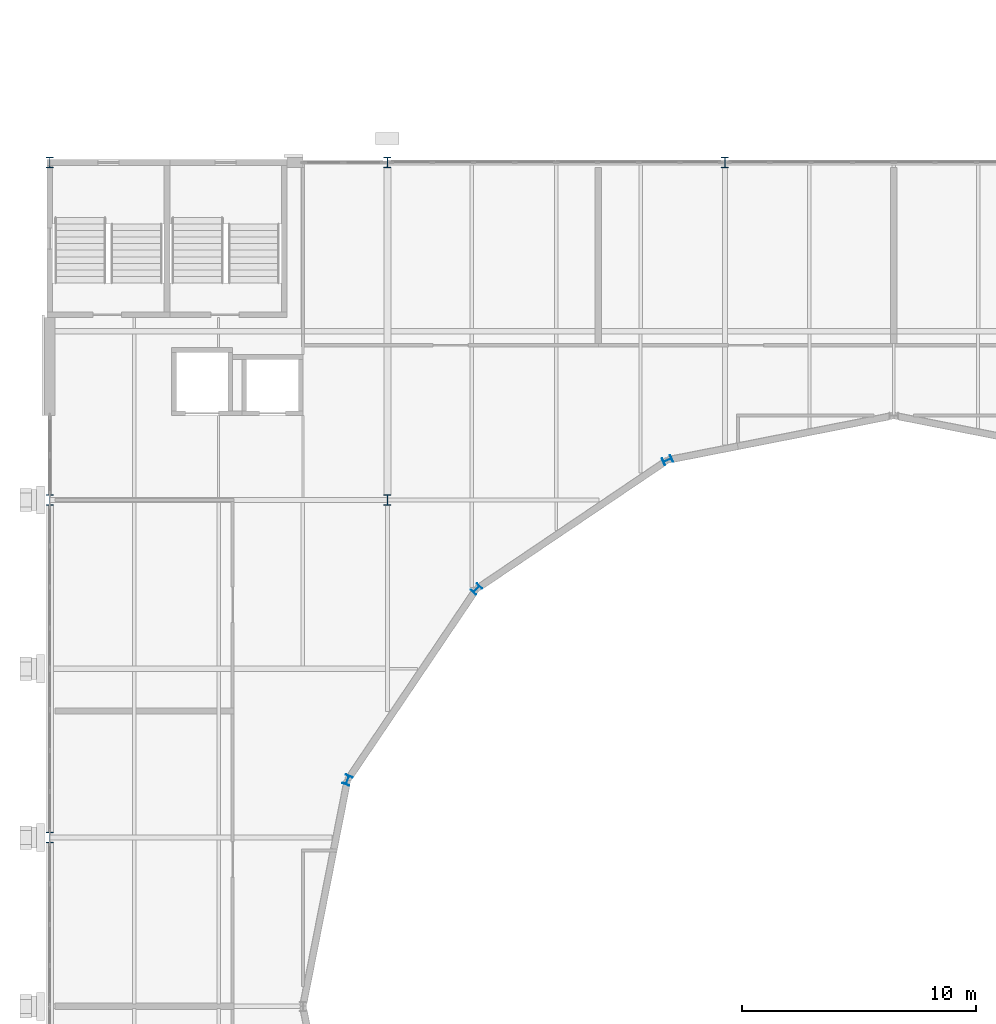
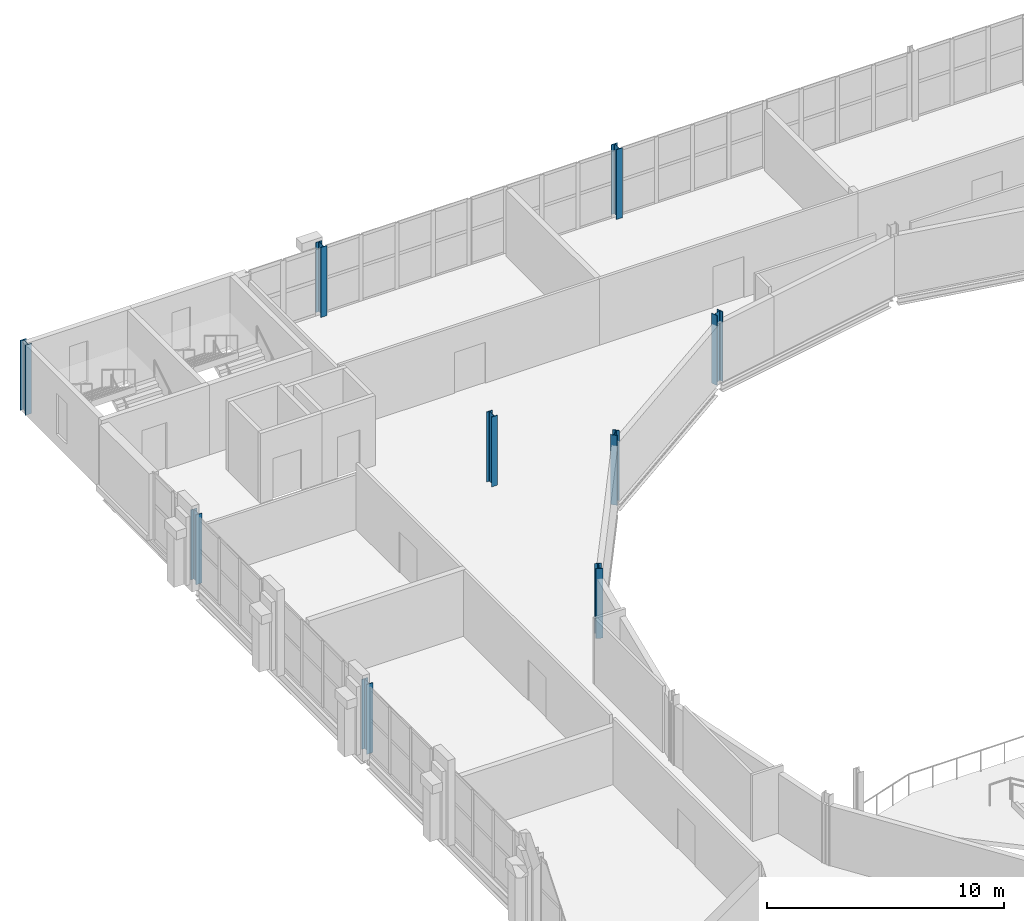
# One storey, part 8 of 124: 9 columns.
"""IFC4 building model written with IfcOpenShell, lengths in metres."""

from ifc_helpers import new_model, si_unit, direction, frame, origin, origin_2d, place, context, subcontext, project, spatial, i_section, extrude, material, material_profile, profile_set, type_object, element, save


model = new_model("IFC4")

# Units and contexts
model_context = context("Model", 3, precision=1e-05, world=origin(), true_north=direction((0.0, 1.0)))
body_context = subcontext(model_context, "Body", "Model", "MODEL_VIEW")
ifc_project = project(units=[si_unit("LENGTHUNIT", "METRE"), si_unit("AREAUNIT", "SQUARE_METRE"), si_unit("VOLUMEUNIT", "CUBIC_METRE"), si_unit("PLANEANGLEUNIT", "RADIAN"), si_unit("MASSUNIT", "GRAM", prefix="KILO")], contexts=[model_context])

# Site, building, storey
site_placement = place(None, origin())
site = spatial("IfcSite", under=ifc_project, at=site_placement, CompositionType="ELEMENT")
building_placement = place(site_placement, origin())
building = spatial("IfcBuilding", under=site, at=building_placement, Name="Kupolbacken Congress Centre", CompositionType="ELEMENT")
storey_placement = place(building_placement, frame((0.0, 0.0, 10.800048828125)))
storey = spatial("IfcBuildingStorey", under=building, at=storey_placement, Name="L03", CompositionType="ELEMENT", Elevation=10.800048828125)

# Columns
ifc_material_1 = material(Name="Steel S355", Category="steel")
ifc_material_profile_1 = material_profile(ifc_material_1, i_section(OverallWidth=0.300048828125, OverallDepth=0.449951171875, WebThickness=0.013916015625, FlangeThickness=0.02587890625, FilletRadius=0.027099609375, at=origin_2d()), Name="HEB 450")
ifc_profile_set_1 = profile_set([ifc_material_profile_1], Name="Steel S355")
column_type_1 = type_object("IfcColumnType", Name="C03 column HEB 450", PredefinedType="COLUMN", material=ifc_profile_set_1)
for number, where, z_axis, x_axis, name in (
    (1, (7.199951171875, 93.60009765625, 0.0), (0.0, 0.0, 1.0), (1.0, 0.0, 0.0), "S/col/C-P-2P/L03"),
    (2, (7.199951171875, 108.0, 0.0), (0.0, 0.0, 1.0), (1.0, 0.0, 0.0), "S/col/C-P-2R/L03"),
    (3, (7.199951171875, 122.39990234375, 0.0), (0.0, 0.0, 1.0), (1.0, 0.0, 0.0), "S/col/C-P-2T/L03"),
    (4, (21.60009765625, 122.39990234375, 0.0), (0.0, 0.0, 1.0), (1.0, 0.0, 0.0), "S/col/C-P-4T/L03"),
    (5, (36.0, 122.39990234375, 0.0), (0.0, 0.0, 1.0), (1.0, 0.0, 0.0), "S/col/C-P-6T/L03"),
    (6, (21.60009765625, 108.0, 0.0), (0.0, 0.0, 1.0), (1.0, 0.0, 0.0), "S/col/C-P-4R/L03"),
):
    element("IfcColumn", number, at=place(storey_placement, frame(where, z_axis=z_axis, x_axis=x_axis)), inside=storey, type_object=column_type_1, Name=name, PredefinedType="COLUMN", context=body_context, shape_type="SweptSolid", body=[
        extrude(i_section(OverallWidth=0.300048828125, OverallDepth=0.449951171875, WebThickness=0.013916015625, FlangeThickness=0.02587890625, FilletRadius=0.027099609375, at=origin_2d()), origin(), (0.0, 0.0, 1.0), 3.599853515625),
    ])
ifc_material_2 = material(Name="Steel S355", Category="steel")
ifc_material_profile_2 = material_profile(ifc_material_2, i_section(OverallWidth=0.300048828125, OverallDepth=0.39990234375, WebThickness=0.013427734375, FlangeThickness=0.02392578125, FilletRadius=0.027099609375, at=origin_2d()), Name="HEB 400")
ifc_profile_set_2 = profile_set([ifc_material_profile_2], Name="Steel S355")
column_type_2 = type_object("IfcColumnType", Name="C08 column HEB 400", PredefinedType="COLUMN", material=ifc_profile_set_2)
for number, where, z_axis, x_axis, name in (
    (7, (33.550048828125, 109.699951171875, 0.0), (0.0, 0.0, 1.0), (-0.382643629864, 0.923896018243, 0.0), "S/col/C-D06/L03"),
    (8, (25.39990234375, 104.199951171875, 0.0), (0.0, 0.0, 1.0), (-0.707106781187, 0.707106781187, 0.0), "S/col/C-D07/L03"),
    (9, (19.89990234375, 96.050048828125, 0.0), (0.0, 0.0, 1.0), (-0.923896018243, 0.382643629864, 0.0), "S/col/C-D08/L03"),
):
    element("IfcColumn", number, at=place(storey_placement, frame(where, z_axis=z_axis, x_axis=x_axis)), inside=storey, type_object=column_type_2, Name=name, PredefinedType="COLUMN", context=body_context, shape_type="SweptSolid", body=[
        extrude(i_section(OverallWidth=0.300048828125, OverallDepth=0.39990234375, WebThickness=0.013427734375, FlangeThickness=0.02392578125, FilletRadius=0.027099609375, at=origin_2d()), origin(), (0.0, 0.0, 1.0), 3.599853515625),
    ])

save(model, "model.ifc")
